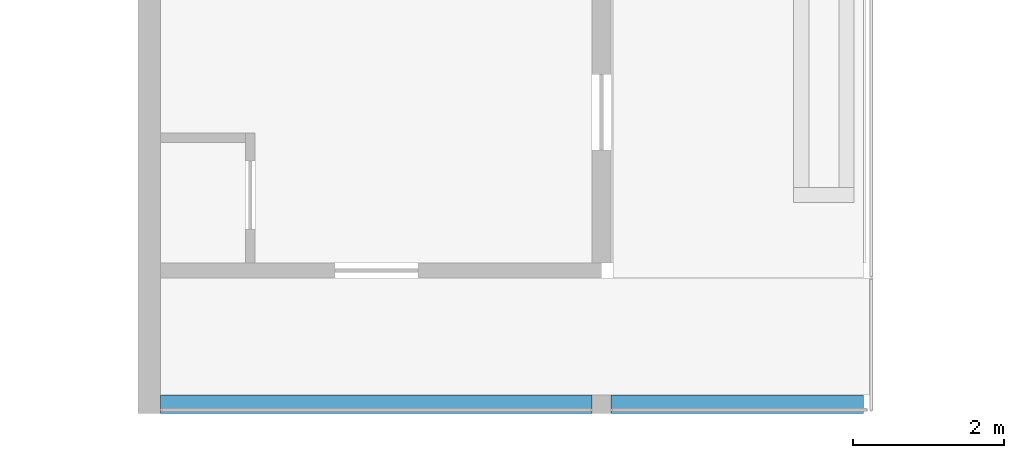
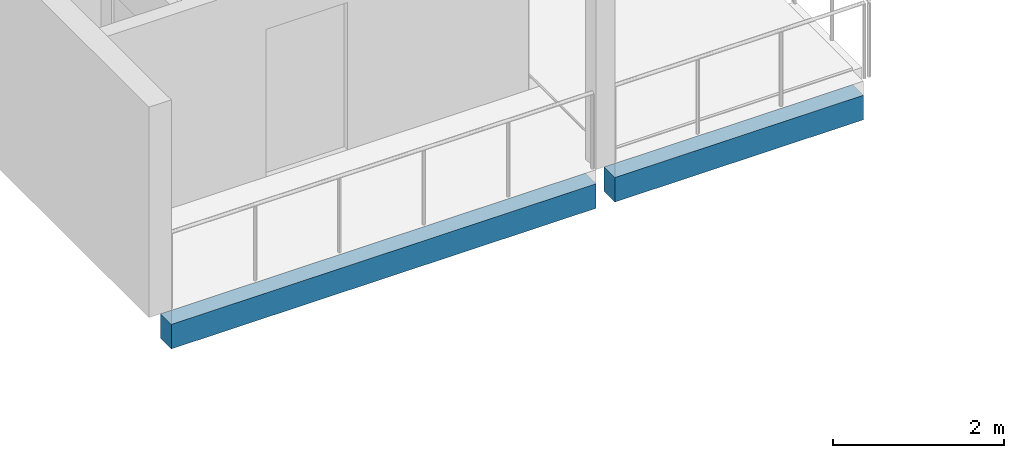
# One storey, part 7 of 33: 2 beams.
"""IFC4 building model written with IfcOpenShell, lengths in metres."""

from ifc_helpers import new_model, si_unit, direction, frame, origin, origin_2d, place, context, subcontext, project, spatial, rectangle, extrude, material, material_profile, profile_set, type_object, element, save


model = new_model("IFC4")

# Units and contexts
model_context = context("Model", 3, precision=1e-05, world=origin(), true_north=direction((0.0, 1.0)))
body_context = subcontext(model_context, "Body", "Model", "MODEL_VIEW")
ifc_project = project(units=[si_unit("LENGTHUNIT", "METRE"), si_unit("AREAUNIT", "SQUARE_METRE"), si_unit("VOLUMEUNIT", "CUBIC_METRE"), si_unit("PLANEANGLEUNIT", "RADIAN"), si_unit("MASSUNIT", "GRAM", prefix="KILO")], contexts=[model_context])

# Site, building, storey
site_placement = place(None, origin())
site = spatial("IfcSite", under=ifc_project, at=site_placement, CompositionType="ELEMENT")
building_placement = place(site_placement, origin())
building = spatial("IfcBuilding", under=site, at=building_placement, Name="Ridgestep Commons", CompositionType="ELEMENT")
storey_placement = place(building_placement, frame((0.0, 0.0, 42.0)))
storey = spatial("IfcBuildingStorey", under=building, at=storey_placement, Name="L14", CompositionType="ELEMENT", Elevation=42.0)

# Beams
ifc_material = material(Name="Precast concrete C40/50", Category="concrete")
ifc_material_profile = material_profile(ifc_material, rectangle(XDim=0.25, YDim=0.35009765625, at=origin_2d()), Name="PC 250x350")
ifc_profile_set = profile_set([ifc_material_profile], Name="Precast concrete C40/50")
beam_type = type_object("IfcBeamType", Name="Loggia edge beam 250 x 350", PredefinedType="SPANDREL", material=ifc_profile_set)
beam_1_placement = place(storey_placement, frame((163.75, 11.875, -0.375), z_axis=(1.0, 0.0, 0.0), x_axis=(0.0, 1.0, 0.0)))
element("IfcBeam", 1, at=beam_1_placement, inside=storey, type_object=beam_type, Name="Loggia edge beam D2C L14", PredefinedType="SPANDREL", context=body_context, shape_type="SweptSolid", body=[
    extrude(rectangle(XDim=0.25, YDim=0.35009765625, at=origin_2d()), origin(), (0.0, 0.0, 1.0), 5.72509765625),
])
beam_2_placement = place(storey_placement, frame((169.72509765625, 11.875, -0.375), z_axis=(1.0, 0.0, 0.0), x_axis=(0.0, 1.0, 0.0)))
element("IfcBeam", 2, at=beam_2_placement, inside=storey, type_object=beam_type, Name="Loggia edge beam D2T3 L14", PredefinedType="SPANDREL", context=body_context, shape_type="SweptSolid", body=[
    extrude(rectangle(XDim=0.25, YDim=0.35009765625, at=origin_2d()), origin(), (0.0, 0.0, 1.0), 3.349853515625),
])

save(model, "model.ifc")
